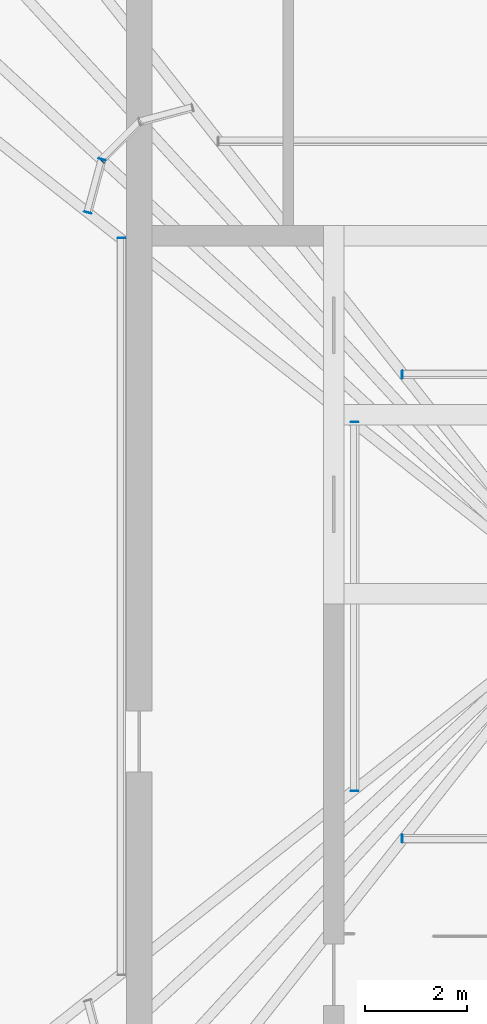
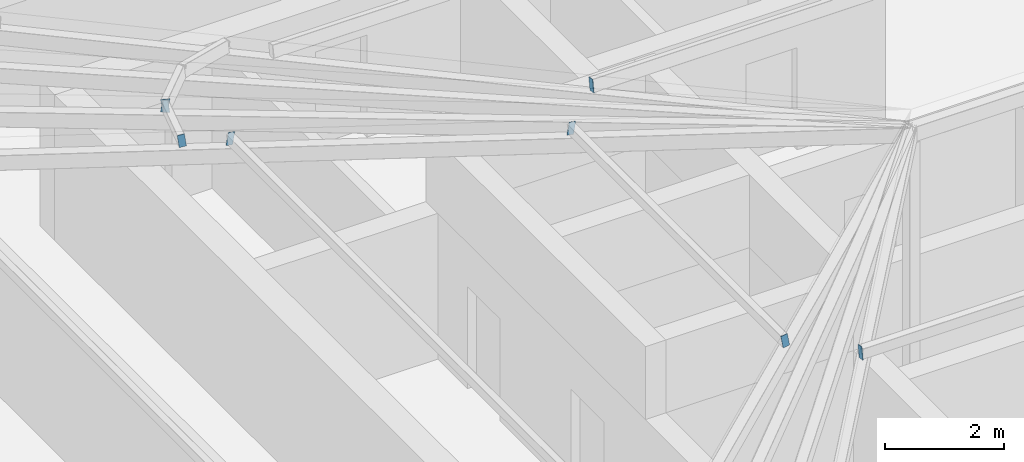
# One storey, part 29 of 46: 8 discrete accessories.
"""IFC4 building model written with IfcOpenShell, lengths in metres."""

from ifc_helpers import new_model, si_unit, direction, frame, origin, origin_2d, place, context, subcontext, project, spatial, rectangle, extrude, material, type_object, element, save


model = new_model("IFC4")

# Units and contexts
model_context = context("Model", 3, precision=1e-05, world=origin(), true_north=direction((0.0, 1.0)))
body_context = subcontext(model_context, "Body", "Model", "MODEL_VIEW")
ifc_project = project(units=[si_unit("LENGTHUNIT", "METRE"), si_unit("AREAUNIT", "SQUARE_METRE"), si_unit("VOLUMEUNIT", "CUBIC_METRE"), si_unit("PLANEANGLEUNIT", "RADIAN"), si_unit("MASSUNIT", "GRAM", prefix="KILO")], contexts=[model_context])

# Site, building, storey
site_placement = place(None, origin())
site = spatial("IfcSite", under=ifc_project, at=site_placement, CompositionType="ELEMENT")
building_placement = place(site_placement, origin())
building = spatial("IfcBuilding", under=site, at=building_placement, Name="Madar Terraces", CompositionType="ELEMENT")
storey_placement = place(building_placement, frame((0.0, 0.0, 317.300048828125)))
storey = spatial("IfcBuildingStorey", under=building, at=storey_placement, Name="L82", CompositionType="ELEMENT", Elevation=317.300048828125)

# Discrete accessories
ifc_material = material(Name="Steel plate ASTM A36, galvanised", Category="steel")
discrete_accessory_type = type_object("IfcDiscreteAccessoryType", Name="Hollow section end plate", PredefinedType="BRACKET", material=ifc_material)
for number, where, z_axis, x_axis, name in (
    (1, (20.39990234375, 19.4619140625, 6.629150390625), (-1.0, 0.0, 0.0), (0.0, -0.984957023705, 0.172799483372), "Hollow section end plate"),
    (2, (20.39990234375, 28.5380859375, 6.629150390625), (-1.0, 0.0, 0.0), (0.0, -0.984957023705, 0.172799483372), "Hollow section end plate"),
    (3, (14.51611328125, 32.73095703125, 5.7138671875), (-0.717279380859, -0.696785684263, 0.0), (0.69071035684, -0.711025367336, 0.131765435371), "Hollow section end plate"),
    (4, (14.5205078125, 32.738525390625, 5.714111328125), (0.266586054538, 0.963811120254, 0.0), (-0.95510758435, 0.264178693544, 0.13408624163), "Hollow section end plate"),
):
    element("IfcDiscreteAccessory", number, at=place(storey_placement, frame(where, z_axis=z_axis, x_axis=x_axis)), inside=storey, type_object=discrete_accessory_type, Name=name, PredefinedType="BRACKET", context=body_context, shape_type="SweptSolid", body=[
        extrude(rectangle(XDim=0.126953125, YDim=0.25390625, at=origin_2d()), origin(), (0.0, 0.0, 1.0), 0.011962890625),
    ])
discrete_accessory_placement = place(storey_placement, frame((14.2451171875, 31.7099609375, 5.714111328125), z_axis=(-0.261415475728, -0.96522637192, 0.0), x_axis=(0.956510055821, -0.259054806785, 0.13408624163)))
element("IfcDiscreteAccessory", 5, at=discrete_accessory_placement, inside=storey, type_object=discrete_accessory_type, Name="Hollow section end plate", PredefinedType="BRACKET", context=body_context, shape_type="SweptSolid", body=[
    extrude(rectangle(XDim=0.126953125, YDim=0.25390625, at=origin_2d()), origin(), (0.0, 0.0, 1.0), 0.01220703125),
])
for number, where, z_axis, x_axis, name in (
    (6, (14.90185546875, 31.199951171875, 5.8291015625), (0.0, 1.0, 0.0), (-0.984957023705, 0.0, 0.172799483372), "Hollow section end plate"),
    (7, (19.4619140625, 27.60009765625, 6.629150390625), (0.0, 1.0, 0.0), (-0.984957023705, 0.0, 0.172799483372), "Hollow section end plate"),
    (8, (19.4619140625, 20.39990234375, 6.629150390625), (0.0, -1.0, 0.0), (0.984957023705, 0.0, 0.172799483372), "Hollow section end plate"),
):
    element("IfcDiscreteAccessory", number, at=place(storey_placement, frame(where, z_axis=z_axis, x_axis=x_axis)), inside=storey, type_object=discrete_accessory_type, Name=name, PredefinedType="BRACKET", context=body_context, shape_type="SweptSolid", body=[
        extrude(rectangle(XDim=0.126953125, YDim=0.25390625, at=origin_2d()), origin(), (0.0, 0.0, 1.0), 0.011962890625),
    ])

save(model, "model.ifc")
